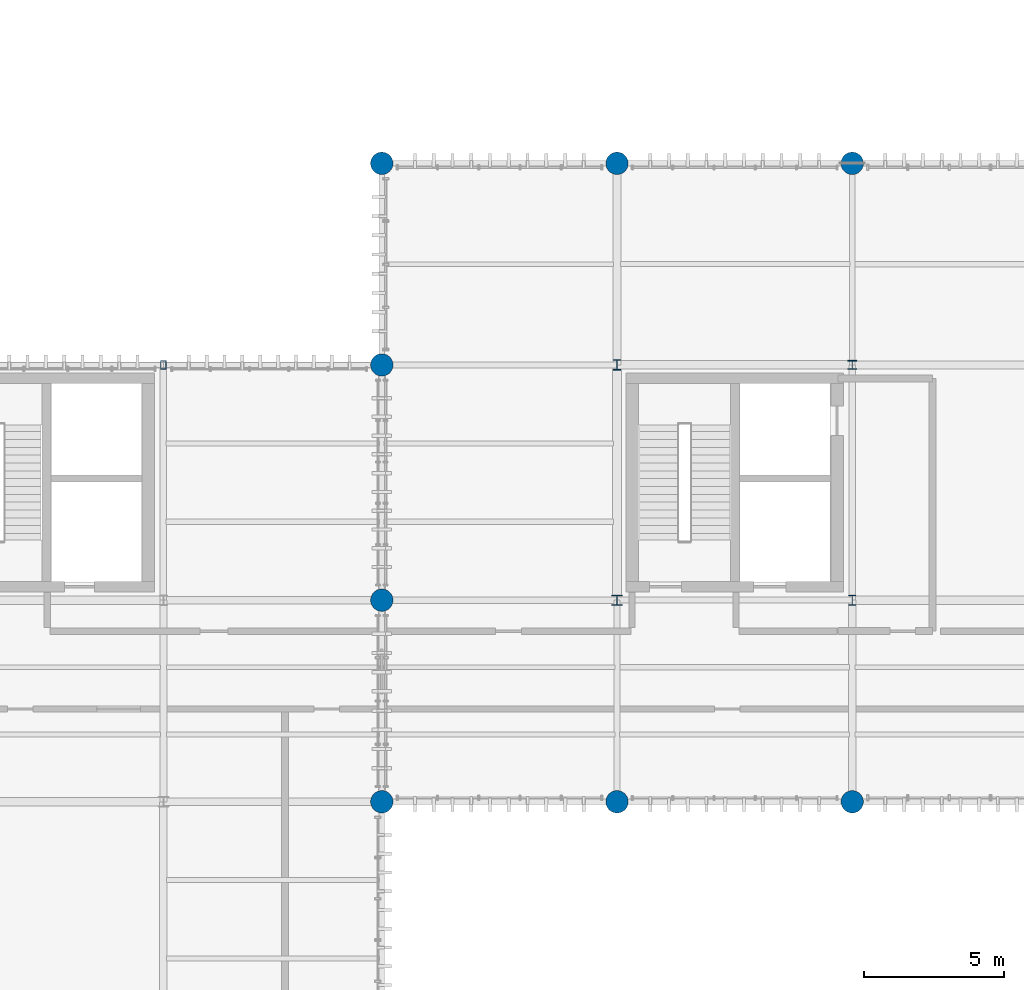
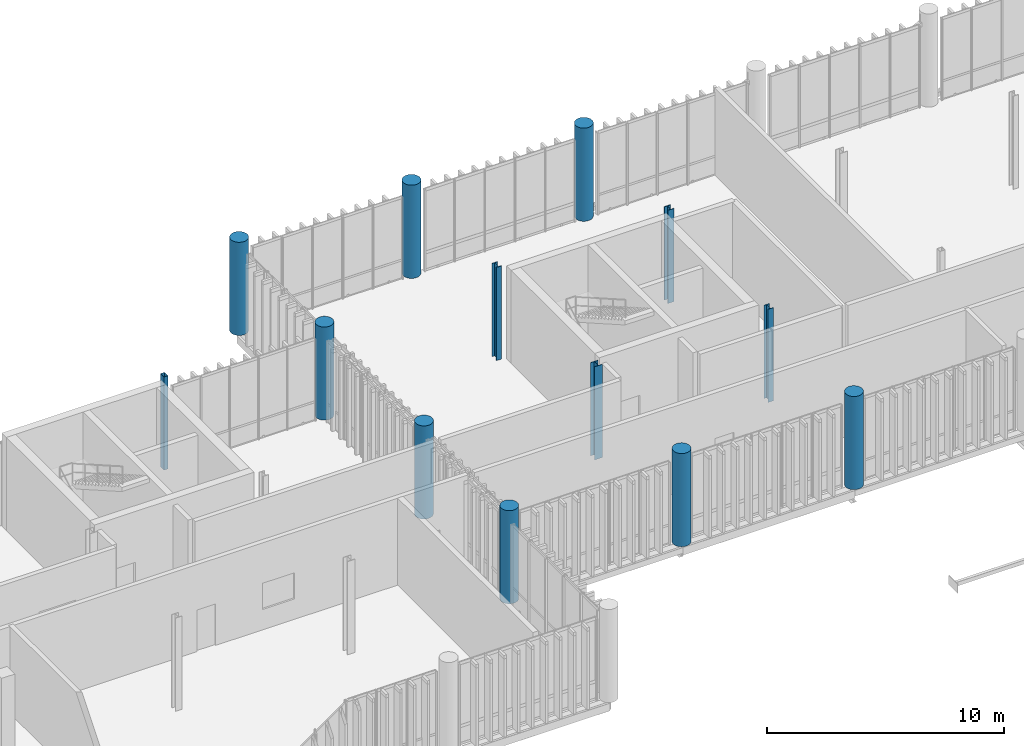
# One storey, part 3 of 94: 13 columns.
"""IFC4 building model written with IfcOpenShell, lengths in metres."""

from ifc_helpers import new_model, si_unit, direction, frame, origin_with_axes, origin_2d_with_axis, place, context, subcontext, project, spatial, hollow_rectangle, circle, i_section, extrude, material, material_profile, profile_set, type_object, element, save


model = new_model("IFC4")

# Units and contexts
model_context = context("Model", 3, precision=1e-05, world=origin_with_axes(), true_north=direction((0.0, 1.0)))
body_context = subcontext(model_context, "Body", "Model", "MODEL_VIEW")
ifc_project = project(units=[si_unit("LENGTHUNIT", "METRE"), si_unit("AREAUNIT", "SQUARE_METRE"), si_unit("VOLUMEUNIT", "CUBIC_METRE"), si_unit("PLANEANGLEUNIT", "RADIAN"), si_unit("MASSUNIT", "GRAM", prefix="KILO"), si_unit("THERMODYNAMICTEMPERATUREUNIT", "KELVIN")], contexts=[model_context])

# Site, building, storey
site_placement = place(None, origin_with_axes())
site = spatial("IfcSite", under=ifc_project, at=site_placement, CompositionType="ELEMENT")
building_placement = place(site_placement, origin_with_axes())
building = spatial("IfcBuilding", under=site, at=building_placement, Name="Montbau Bow Law Courts", CompositionType="ELEMENT")
storey_placement = place(building_placement, frame((0.0, 0.0, 15.6), z_axis=(0.0, 0.0, 1.0), x_axis=(1.0, 0.0, 0.0)))
storey = spatial("IfcBuildingStorey", under=building, at=storey_placement, Name="L03", CompositionType="ELEMENT", Elevation=15.6)

# Columns
ifc_material_1 = material(Name="Steel CSA G40.21 Grade 350WT (350 MPa)", Category="steel")
ifc_material_profile_1 = material_profile(ifc_material_1, hollow_rectangle(XDim=0.203, YDim=0.305, WallThickness=0.0127, InnerFilletRadius=0.0254, OuterFilletRadius=0.0127, at=origin_2d_with_axis()), Name="HSS305X203X13", Category="Main", Priority=0)
ifc_profile_set_1 = profile_set([ifc_material_profile_1], Name="Steel CSA G40.21 Grade 350WT (350 MPa)")
column_type_1 = type_object("IfcColumnType", Name="C-HSS-03", PredefinedType="COLUMN", material=ifc_profile_set_1)
column_1_placement = place(None, frame((39.0, 54.6, 15.6), z_axis=(0.0, 0.0, 1.0), x_axis=(1.0, 0.0, 0.0)))
element("IfcColumn", 1, at=column_1_placement, inside=storey, type_object=column_type_1, Name="C-L03-S0662:col2_0662", PredefinedType="COLUMN", context=body_context, shape_type="SweptSolid", body=[
    extrude(hollow_rectangle(XDim=0.203, YDim=0.305, WallThickness=0.0127, InnerFilletRadius=0.0254, OuterFilletRadius=0.0127, at=origin_2d_with_axis()), origin_with_axes(), (0.0, 0.0, 1.0), 4.8),
])
ifc_material_2 = material(Name="Concrete CSA A23.1 f'c 40 MPa", Category="concrete")
ifc_material_profile_2 = material_profile(ifc_material_2, circle(Radius=0.4, at=origin_2d_with_axis()), Name="RC800D", Category="Main", Priority=0)
ifc_profile_set_2 = profile_set([ifc_material_profile_2], Name="Concrete CSA A23.1 f'c 40 MPa")
column_type_2 = type_object("IfcColumnType", Name="C-RC-07", PredefinedType="COLUMN", material=ifc_profile_set_2)
for number, where, z_axis, x_axis, name in (
    (2, (46.8, 39.0, 15.6), (0.0, 0.0, 1.0), (1.0, 0.0, 0.0), "C-L03-S0664:col2_0664"),
    (3, (46.8, 46.2, 15.6), (0.0, 0.0, 1.0), (1.0, 0.0, 0.0), "C-L03-S0665:col2_0665"),
    (4, (46.8, 54.6, 15.6), (0.0, 0.0, 1.0), (1.0, 0.0, 0.0), "C-L03-S0666:col2_0666"),
    (5, (46.8, 61.8, 15.6), (0.0, 0.0, 1.0), (1.0, 0.0, 0.0), "C-L03-S0667:col2_0667"),
    (6, (55.2, 39.0, 15.6), (0.0, 0.0, 1.0), (1.0, 0.0, 0.0), "C-L03-S0668:col2_0668"),
    (7, (55.2, 61.8, 15.6), (0.0, 0.0, 1.0), (1.0, 0.0, 0.0), "C-L03-S0671:col2_0671"),
    (8, (63.6, 39.0, 15.6), (0.0, 0.0, 1.0), (1.0, 0.0, 0.0), "C-L03-S0672:col2_0672"),
    (9, (63.6, 61.8, 15.6), (0.0, 0.0, 1.0), (1.0, 0.0, 0.0), "C-L03-S0675:col2_0675"),
):
    element("IfcColumn", number, at=place(None, frame(where, z_axis=z_axis, x_axis=x_axis)), inside=storey, type_object=column_type_2, Name=name, PredefinedType="COLUMN", context=body_context, shape_type="SweptSolid", body=[
        extrude(circle(Radius=0.4, at=origin_2d_with_axis()), origin_with_axes(), (0.0, 0.0, 1.0), 4.8),
    ])
ifc_material_3 = material(Name="Steel CSA G40.21 Grade 350W (350 MPa)", Category="steel")
ifc_material_profile_3 = material_profile(ifc_material_3, i_section(OverallWidth=0.373, OverallDepth=0.368, WebThickness=0.015, FlangeThickness=0.0239, at=origin_2d_with_axis()), Name="W360X179", Category="Main", Priority=0)
ifc_profile_set_3 = profile_set([ifc_material_profile_3], Name="Steel CSA G40.21 Grade 350W (350 MPa)")
column_type_3 = type_object("IfcColumnType", Name="C-STL-04", PredefinedType="COLUMN", material=ifc_profile_set_3)
column_2_placement = place(None, frame((55.2, 46.2, 15.6), z_axis=(0.0, 0.0, 1.0), x_axis=(1.0, 0.0, 0.0)))
element("IfcColumn", 10, at=column_2_placement, inside=storey, type_object=column_type_3, Name="C-L03-S0669:col2_0669", PredefinedType="COLUMN", context=body_context, shape_type="SweptSolid", body=[
    extrude(i_section(OverallWidth=0.373, OverallDepth=0.368, WebThickness=0.015, FlangeThickness=0.0239, at=origin_2d_with_axis()), origin_with_axes(), (0.0, 0.0, 1.0), 4.8),
])
ifc_material_profile_4 = material_profile(ifc_material_3, i_section(OverallWidth=0.257, OverallDepth=0.363, WebThickness=0.013, FlangeThickness=0.0217, at=origin_2d_with_axis()), Name="W360X122", Category="Main", Priority=0)
ifc_profile_set_4 = profile_set([ifc_material_profile_4], Name="Steel CSA G40.21 Grade 350W (350 MPa)")
column_type_4 = type_object("IfcColumnType", Name="C-STL-05", PredefinedType="COLUMN", material=ifc_profile_set_4)
for number, where, z_axis, x_axis, name in (
    (11, (55.2, 54.6, 15.6), (0.0, 0.0, 1.0), (1.0, 0.0, 0.0), "C-L03-S0670:col2_0670"),
    (12, (63.6, 46.2, 15.6), (0.0, 0.0, 1.0), (1.0, 0.0, 0.0), "C-L03-S0673:col2_0673"),
):
    element("IfcColumn", number, at=place(None, frame(where, z_axis=z_axis, x_axis=x_axis)), inside=storey, type_object=column_type_4, Name=name, PredefinedType="COLUMN", context=body_context, shape_type="SweptSolid", body=[
        extrude(i_section(OverallWidth=0.257, OverallDepth=0.363, WebThickness=0.013, FlangeThickness=0.0217, at=origin_2d_with_axis()), origin_with_axes(), (0.0, 0.0, 1.0), 4.8),
    ])
ifc_material_profile_5 = material_profile(ifc_material_3, i_section(OverallWidth=0.309, OverallDepth=0.323, WebThickness=0.014, FlangeThickness=0.0229, at=origin_2d_with_axis()), Name="W310X143", Category="Main", Priority=0)
ifc_profile_set_5 = profile_set([ifc_material_profile_5], Name="Steel CSA G40.21 Grade 350W (350 MPa)")
column_type_5 = type_object("IfcColumnType", Name="C-STL-06", PredefinedType="COLUMN", material=ifc_profile_set_5)
column_3_placement = place(None, frame((63.6, 54.6, 15.6), z_axis=(0.0, 0.0, 1.0), x_axis=(1.0, 0.0, 0.0)))
element("IfcColumn", 13, at=column_3_placement, inside=storey, type_object=column_type_5, Name="C-L03-S0674:col2_0674", PredefinedType="COLUMN", context=body_context, shape_type="SweptSolid", body=[
    extrude(i_section(OverallWidth=0.309, OverallDepth=0.323, WebThickness=0.014, FlangeThickness=0.0229, at=origin_2d_with_axis()), origin_with_axes(), (0.0, 0.0, 1.0), 4.8),
])

save(model, "model.ifc")
